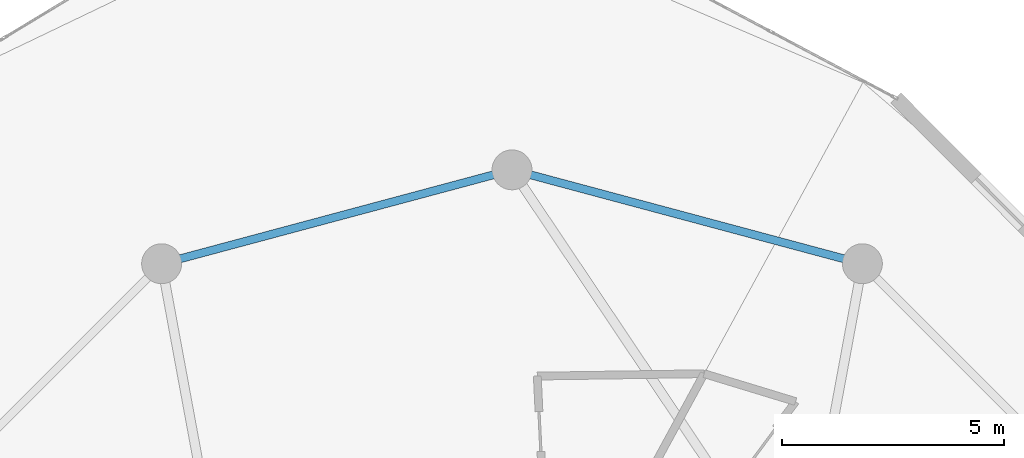
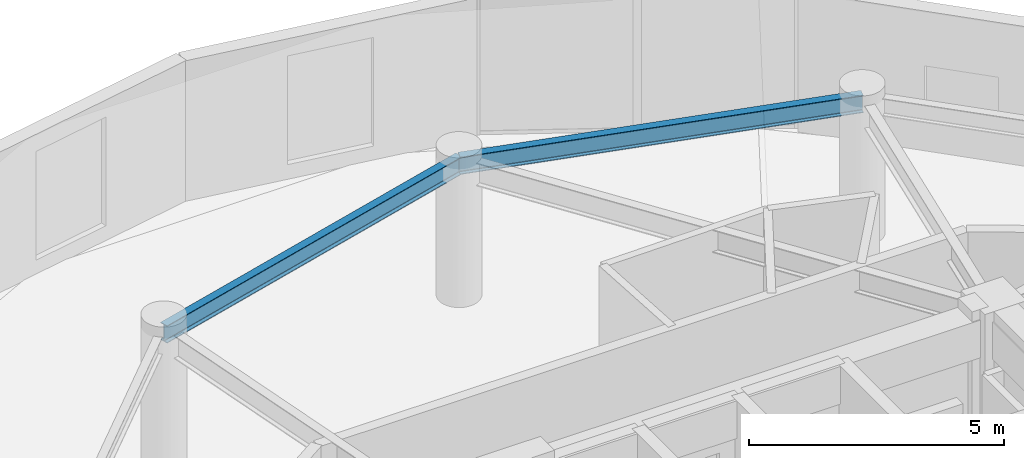
# One storey, part 14 of 21: 2 beams.
"""IFC4 building model written with IfcOpenShell, lengths in metres."""

import ifcopenshell
import ifcopenshell.guid

model = None  # the IFC model being written
_history = None  # IfcOwnerHistory: only IFC2X3 demands one
_inside = {}  # id of a spatial element -> (the spatial element, [elements in it])
_under = {}  # id of a project, library or spatial element -> (it, [spatial elements below it])
_declared = {}  # id of a project -> (the project, [libraries it declares])
_typed = {}  # id of a type object -> (the type object, [elements of that type])
_made_of = {}  # id of a material, layer set ... -> (it, [elements and type objects made of it])


def new_model(schema):
    """Start an empty IFC model of exactly this schema.

    Asked for "IFC4X3", IfcOpenShell would pick the latest addendum, in which some entities
    have other attributes; the version numbers below select the first issue.
    IFC2X3 requires an IfcOwnerHistory on every rooted entity: one is made here for all.
    """
    global model, _history
    if schema == "IFC4X3":
        model = ifcopenshell.file(schema_version=(4, 3, 0, 0))
    else:
        model = ifcopenshell.file(schema=schema)
    _inside.clear()
    _under.clear()
    _declared.clear()
    _typed.clear()
    _made_of.clear()
    _history = None
    if model.schema == "IFC2X3":
        org = make("IfcOrganization", Name="unknown")
        user = make(
            "IfcPersonAndOrganization",
            ThePerson=make("IfcPerson", FamilyName="unknown"),
            TheOrganization=org,
        )
        app = make(
            "IfcApplication",
            ApplicationDeveloper=org,
            Version="unknown",
            ApplicationFullName="unknown",
            ApplicationIdentifier="unknown",
        )
        _history = make(
            "IfcOwnerHistory",
            OwningUser=user,
            OwningApplication=app,
            ChangeAction="ADDED",
            CreationDate=0,
        )
    return model


def make(cls, **values):
    """One entity of the class cls with the attributes given. An attribute that is None is left unset."""
    return model.create_entity(
        cls, **{name: value for name, value in values.items() if value is not None}
    )


def rooted(cls, **values):
    """An entity with a GlobalId (a new one), such as an element, a storey or a relation."""
    return make(cls, GlobalId=ifcopenshell.guid.new(), OwnerHistory=_history, **values)


def si_unit(unit_type, name, prefix=None):
    """IfcSIUnit, for example si_unit("LENGTHUNIT", "METRE", prefix="MILLI")."""
    return make("IfcSIUnit", UnitType=unit_type, Prefix=prefix, Name=name)


def assignment(units):
    """IfcUnitAssignment: the units of a project."""
    return None if units is None else make("IfcUnitAssignment", Units=units)


def point(xyz):
    """IfcCartesianPoint."""
    return None if xyz is None else make("IfcCartesianPoint", Coordinates=xyz)


def direction(xyz):
    """IfcDirection."""
    return None if xyz is None else make("IfcDirection", DirectionRatios=xyz)


def frame(location, z_axis=None, x_axis=None):
    """IfcAxis2Placement3D, a coordinate frame: its origin and axes. An axis left out is left unset."""
    return make(
        "IfcAxis2Placement3D",
        Location=point(location),
        Axis=direction(z_axis),
        RefDirection=direction(x_axis),
    )


def frame_2d(location, x_axis=None):
    """IfcAxis2Placement2D, a coordinate frame in the plane: its origin and x axis."""
    return make(
        "IfcAxis2Placement2D", Location=point(location), RefDirection=direction(x_axis)
    )


def origin():
    """The frame at (0, 0, 0) with its axes left unset."""
    return frame((0.0, 0.0, 0.0))


def origin_2d():
    """The frame at (0, 0) in the plane with its x axis left unset."""
    return frame_2d((0.0, 0.0))


def place(relative_to, where):
    """IfcLocalPlacement: puts the frame where relative to a parent placement (None: the world)."""
    return make(
        "IfcLocalPlacement", PlacementRelTo=relative_to, RelativePlacement=where
    )


def context(
    kind, dimensions, precision=None, world=None, true_north=None, identifier=None
):
    """IfcGeometricRepresentationContext, for example the 3D "Model" context."""
    return make(
        "IfcGeometricRepresentationContext",
        ContextIdentifier=identifier,
        ContextType=kind,
        CoordinateSpaceDimension=dimensions,
        Precision=precision,
        WorldCoordinateSystem=world,
        TrueNorth=true_north,
    )


def subcontext(parent, identifier, kind, view, scale=None):
    """IfcGeometricRepresentationSubContext, for example "Body" below "Model"."""
    return make(
        "IfcGeometricRepresentationSubContext",
        ContextIdentifier=identifier,
        ContextType=kind,
        ParentContext=parent,
        TargetScale=scale,
        TargetView=view,
    )


def project(units=None, contexts=None):
    """IfcProject with its units and contexts."""
    return rooted(
        "IfcProject",
        Name="project",
        RepresentationContexts=contexts,
        UnitsInContext=assignment(units),
    )


def spatial(cls, under=None, at=None, **own):
    """A site, building, storey or space (cls), placed at a placement, below another one or the project."""
    s = rooted(cls, ObjectPlacement=at, **own)
    if under is not None:
        _under.setdefault(under.id(), (under, []))[1].append(s)
    return s


def profile(cls, at=None, kind="AREA", **sizes):
    """A parametric profile (cls). Its sizes go by their IFC names, for example OverallWidth=200.0."""
    return make(cls, ProfileType=kind, Position=at, **sizes)


def i_section(**sizes):
    """IfcIShapeProfileDef."""
    return profile("IfcIShapeProfileDef", **sizes)


def extrude(swept, where, along, depth):
    """IfcExtrudedAreaSolid: the profile swept, set in the frame where, extruded along a direction by depth."""
    return make(
        "IfcExtrudedAreaSolid",
        SweptArea=swept,
        Position=where,
        ExtrudedDirection=direction(along),
        Depth=depth,
    )


def shape(context_of_items, identifier, shape_type, items):
    """IfcShapeRepresentation: the items that make up one representation, for example the "Body"."""
    return make(
        "IfcShapeRepresentation",
        ContextOfItems=context_of_items,
        RepresentationIdentifier=identifier,
        RepresentationType=shape_type,
        Items=items,
    )


def material(Name=None, Category=None):
    """IfcMaterial."""
    return make("IfcMaterial", Name=Name, Category=Category)


def material_profile(
    of_material, cross_section, Name=None, Category=None, Priority=None
):
    """IfcMaterialProfile: a cross section and its material."""
    return make(
        "IfcMaterialProfile",
        Name=Name,
        Material=of_material,
        Profile=cross_section,
        Priority=Priority,
        Category=Category,
    )


def profile_set(profiles, Name=None, composite=None):
    """IfcMaterialProfileSet."""
    return make(
        "IfcMaterialProfileSet",
        Name=Name,
        MaterialProfiles=profiles,
        CompositeProfile=composite,
    )


def made_of(thing, what):
    """Note that an element or type object is made of a material, layer set ...; save() writes the relation."""
    if what is not None:
        _made_of.setdefault(what.id(), (what, []))[1].append(thing)
    return thing


def type_object(cls, material=None, **own):
    """A type object (cls), such as IfcWallType, which elements share."""
    return made_of(rooted(cls, **own), material)


def element(
    cls,
    number,
    at=None,
    inside=None,
    cuts=None,
    type_object=None,
    material=None,
    context=None,
    identifier="Body",
    shape_type=None,
    held_by="IfcProductDefinitionShape",
    body=None,
    shapes=None,
    **own,
):
    """One element of the class cls, such as IfcWall. Its Tag is "e" and its number.

    at: its placement. inside: the storey or other place that contains it. cuts: it is an
    opening in that element (IfcRelVoidsElement). A single representation is given by context,
    identifier, shape_type and body (its items); several are given by shapes. held_by: the class
    of the entity that holds the representations. save() writes the other relations.
    """
    e = rooted(cls, Tag="e%d" % number, ObjectPlacement=at, **own)
    if body is not None:
        shapes = [shape(context, identifier, shape_type, body)]
    if shapes is not None:
        e.Representation = make(held_by, Representations=shapes)
    if inside is not None:
        _inside.setdefault(inside.id(), (inside, []))[1].append(e)
    if cuts is not None:
        rooted(
            "IfcRelVoidsElement", RelatingBuildingElement=cuts, RelatedOpeningElement=e
        )
    if type_object is not None:
        _typed.setdefault(type_object.id(), (type_object, []))[1].append(e)
    return made_of(e, material)


def aggregate(whole, parts):
    """IfcRelAggregates: a whole, such as a stair, and the parts it consists of."""
    return rooted("IfcRelAggregates", RelatingObject=whole, RelatedObjects=parts)


def save(model, path):
    """Write the relations noted so far, then the file.

    IfcRelAggregates (storeys below a building ...), IfcRelContainedInSpatialStructure (elements
    in a storey), IfcRelDefinesByType, IfcRelAssociatesMaterial and IfcRelDeclares: one each for
    every whole, place, type object, material and project.
    """
    for whole, parts in _under.values():
        aggregate(whole, parts)
    for where, things in _inside.values():
        rooted(
            "IfcRelContainedInSpatialStructure",
            RelatedElements=things,
            RelatingStructure=where,
        )
    for kind, things in _typed.values():
        rooted("IfcRelDefinesByType", RelatedObjects=things, RelatingType=kind)
    for what, things in _made_of.values():
        rooted("IfcRelAssociatesMaterial", RelatedObjects=things, RelatingMaterial=what)
    for by, libraries in _declared.values():
        rooted("IfcRelDeclares", RelatingContext=by, RelatedDefinitions=libraries)
    model.write(path)


model = new_model("IFC4")

# Units and contexts
model_context = context("Model", 3, precision=1e-05, world=origin(), true_north=direction((0.0, 1.0)))
body_context = subcontext(model_context, "Body", "Model", "MODEL_VIEW")
ifc_project = project(units=[si_unit("LENGTHUNIT", "METRE"), si_unit("AREAUNIT", "SQUARE_METRE"), si_unit("VOLUMEUNIT", "CUBIC_METRE"), si_unit("PLANEANGLEUNIT", "RADIAN"), si_unit("MASSUNIT", "GRAM", prefix="KILO")], contexts=[model_context])

# Site, building, storey
site_placement = place(None, origin())
site = spatial("IfcSite", under=ifc_project, at=site_placement, CompositionType="ELEMENT")
building_placement = place(site_placement, origin())
building = spatial("IfcBuilding", under=site, at=building_placement, Name="Solvirekh Grand Hotel", CompositionType="ELEMENT")
storey_placement = place(building_placement, frame((0.0, 0.0, 216.39990234375)))
storey = spatial("IfcBuildingStorey", under=building, at=storey_placement, Name="L56", CompositionType="ELEMENT", Elevation=216.39990234375)

# Beams
ifc_material = material(Name="Steel S355", Category="steel")
ifc_material_profile = material_profile(ifc_material, i_section(OverallWidth=0.180908203125, OverallDepth=0.4169921875, WebThickness=0.010009765625, FlangeThickness=0.01611328125, FilletRadius=0.011962890625, at=origin_2d()), Name="W410X85")
ifc_profile_set = profile_set([ifc_material_profile], Name="Steel S355")
beam_type = type_object("IfcBeamType", Name="Spandrel_Ring_W410", PredefinedType="SPANDREL", material=ifc_profile_set)
for number, where, z_axis, x_axis, name in (
    (1, (7.89990234375, 13.68310546875, 3.152099609375), (-0.965920601923, 0.258838541915, 0.0), (-0.258838541915, -0.965920601923, 0.0), "L56 perimeter spandrel beam 3"),
    (2, (0.0, 15.800048828125, 3.152099609375), (-0.965920601923, -0.258838541915, 0.0), (0.258838541915, -0.965920601923, 0.0), "L56 perimeter spandrel beam 4"),
):
    element("IfcBeam", number, at=place(storey_placement, frame(where, z_axis=z_axis, x_axis=x_axis)), inside=storey, type_object=beam_type, Name=name, PredefinedType="SPANDREL", context=body_context, shape_type="SweptSolid", body=[
        extrude(i_section(OverallWidth=0.180908203125, OverallDepth=0.4169921875, WebThickness=0.010009765625, FlangeThickness=0.01611328125, FilletRadius=0.011962890625, at=origin_2d()), origin(), (0.0, 0.0, 1.0), 8.1787109375),
    ])

save(model, "model.ifc")
